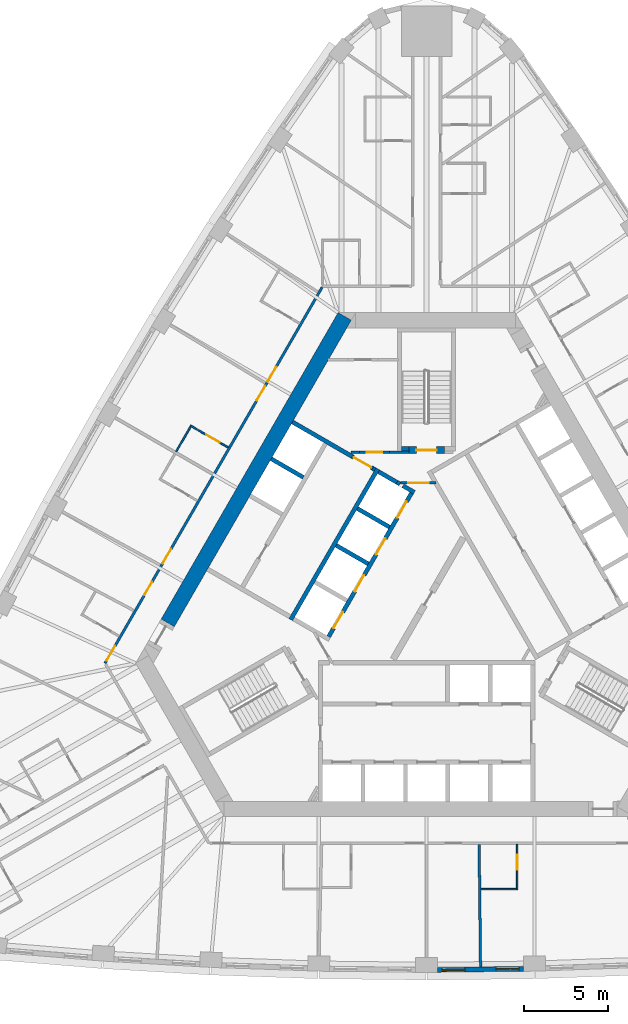
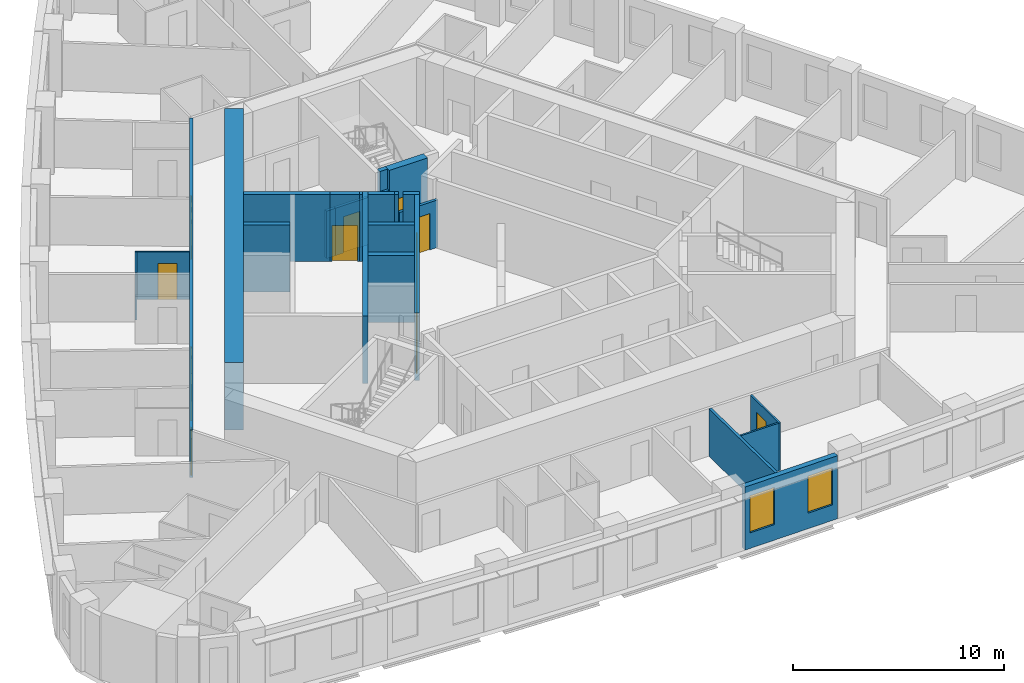
# One storey, part 6 of 12: 25 walls, 15 doors, 2 windows, 17 openings.
"""IFC4 building model written with IfcOpenShell, lengths in metres."""

from ifc_helpers import new_model, si_unit, direction, frame, frame_2d, origin, place, context, subcontext, project, spatial, polyline, rectangle, outline, extrude, material, layer, layer_set, type_object, element, fill, save


model = new_model("IFC4")

# Units and contexts
model_context = context("Model", 3, precision=1e-05, world=origin(), true_north=direction((0.0, 1.0)))
body_context = subcontext(model_context, "Body", "Model", "MODEL_VIEW")
ifc_project = project(units=[si_unit("LENGTHUNIT", "METRE"), si_unit("AREAUNIT", "SQUARE_METRE"), si_unit("VOLUMEUNIT", "CUBIC_METRE"), si_unit("PLANEANGLEUNIT", "RADIAN"), si_unit("MASSUNIT", "GRAM", prefix="KILO")], contexts=[model_context])

# Site, building, storey
site_placement = place(None, origin())
site = spatial("IfcSite", under=ifc_project, at=site_placement, CompositionType="ELEMENT")
building_placement = place(site_placement, origin())
building = spatial("IfcBuilding", under=site, at=building_placement, Name="Mestral Congress Tower", CompositionType="ELEMENT")
storey_placement = place(building_placement, frame((0.0, 0.0, 111.0)))
storey = spatial("IfcBuildingStorey", under=building, at=storey_placement, Name="L26", CompositionType="ELEMENT", Elevation=111.0)

# Walls
ifc_material_1 = material(Name="Fire-rated board partition")
ifc_layer_1 = layer(ifc_material_1, 0.14990234375)
ifc_layer_set_1 = layer_set([ifc_layer_1], Name="Fire-rated board partition")
wall_type_1 = type_object("IfcWallType", Name="Core partition 150", PredefinedType="PARTITIONING", material=ifc_layer_set_1)
wall_1_placement = place(storey_placement, frame((-3.99658203125, 8.625244140625, 0.0), z_axis=(0.0, 0.0, 1.0), x_axis=(-1.0, 0.0, 0.0)))
element("IfcWall", 1, at=wall_1_placement, inside=storey, type_object=wall_type_1, Name="L26 core wall", PredefinedType="PARTITIONING", context=body_context, shape_type="SweptSolid", body=[
    extrude(rectangle(XDim=0.502197265625, YDim=0.14990234375, at=frame_2d((0.2509765625, 0.0))), origin(), (0.0, 0.0, 1.0), 2.75),
])
wall_2_placement = place(storey_placement, frame((-2.1962890625, 8.62548828125, 0.0), z_axis=(0.0, 0.0, 1.0), x_axis=(1.0, 0.0, 0.0)))
element("IfcWall", 2, at=wall_2_placement, inside=storey, type_object=wall_type_1, Name="L26 core wall", PredefinedType="PARTITIONING", context=body_context, shape_type="SweptSolid", body=[
    extrude(rectangle(XDim=1.146240234375, YDim=0.14990234375, at=frame_2d((0.5732421875, 0.0))), origin(), (0.0, 0.0, 1.0), 2.75),
])

# Wall, opening, door
wall_3_placement = place(storey_placement, frame((-2.1962890625, 8.625, 0.0), z_axis=(0.0, 0.0, 1.0), x_axis=(-1.0, 0.0, 0.0)))
wall_3 = element("IfcWall", 3, at=wall_3_placement, inside=storey, type_object=wall_type_1, Name="L26 door wall", PredefinedType="PARTITIONING", context=body_context, shape_type="SweptSolid", body=[
    extrude(rectangle(XDim=1.800048828125, YDim=0.14990234375, at=frame_2d((0.89990234375, 0.0))), origin(), (0.0, 0.0, 1.0), 2.75),
])
opening_1_placement = place(wall_3_placement, frame((0.449951171875, 0.0, 0.0)))
opening_1 = element("IfcOpeningElement", 4, at=opening_1_placement, cuts=wall_3, Name="Opening TD2", PredefinedType="OPENING", context=body_context, shape_type="SweptSolid", body=[
    extrude(rectangle(XDim=0.89990234375, YDim=2.10009765625, at=frame_2d((0.449951171875, 1.050048828125))), frame((0.0, 0.0849609375, 0.0), z_axis=(0.0, -1.0, 0.0), x_axis=(1.0, 0.0, 0.0)), (0.0, 0.0, 1.0), 0.169921875),
])
ifc_material_2 = material(Name="Fire-rated steel door set", Category="steel")
door_type_1 = type_object("IfcDoorType", Name="Core door SR 900x2100", OperationType="SINGLE_SWING_LEFT", PredefinedType="DOOR", material=ifc_material_2)
door_1_placement = place(opening_1_placement, origin())
door_1 = element("IfcDoor", 5, at=door_1_placement, inside=storey, type_object=door_type_1, Name="Door TD2", OperationType="SINGLE_SWING_LEFT", OverallHeight=2.10009765625, OverallWidth=0.89990234375, PredefinedType="DOOR", context=body_context, shape_type="SweptSolid", body=[
    extrude(rectangle(XDim=0.89990234375, YDim=2.10009765625, at=frame_2d((0.449951171875, 1.050048828125))), frame((0.0, 0.02490234375, 0.0), z_axis=(0.0, -1.0, 0.0), x_axis=(1.0, 0.0, 0.0)), (0.0, 0.0, 1.0), 0.050048828125),
])
fill(opening_1, door_1)

wall_4_placement = place(storey_placement, frame((-1.534423828125, 6.800048828125, 0.0), z_axis=(0.0, 0.0, 1.0), x_axis=(1.0, 0.0, 0.0)))
wall_4 = element("IfcWall", 6, at=wall_4_placement, inside=storey, type_object=wall_type_1, Name="L26 door wall", PredefinedType="PARTITIONING", context=body_context, shape_type="SweptSolid", body=[
    extrude(rectangle(XDim=2.099853515625, YDim=0.14990234375, at=frame_2d((1.0498046875, 0.0))), origin(), (0.0, 0.0, 1.0), 2.75),
])
opening_2_placement = place(wall_4_placement, frame((0.449951171875, 0.0, 0.0)))
opening_2 = element("IfcOpeningElement", 7, at=opening_2_placement, cuts=wall_4, Name="Opening CD2-FF", PredefinedType="OPENING", context=body_context, shape_type="SweptSolid", body=[
    extrude(rectangle(XDim=1.199951171875, YDim=2.10009765625, at=frame_2d((0.60009765625, 1.050048828125))), frame((0.0, 0.0849609375, 0.0), z_axis=(0.0, -1.0, 0.0), x_axis=(1.0, 0.0, 0.0)), (0.0, 0.0, 1.0), 0.169921875),
])
door_type_2 = type_object("IfcDoorType", Name="Core door CD 1200x2100", OperationType="SINGLE_SWING_LEFT", PredefinedType="DOOR", material=ifc_material_2)
door_2_placement = place(opening_2_placement, origin())
door_2 = element("IfcDoor", 8, at=door_2_placement, inside=storey, type_object=door_type_2, Name="Door CD2-FF", OperationType="SINGLE_SWING_LEFT", OverallHeight=2.10009765625, OverallWidth=1.199951171875, PredefinedType="DOOR", context=body_context, shape_type="SweptSolid", body=[
    extrude(rectangle(XDim=1.199951171875, YDim=2.10009765625, at=frame_2d((0.60009765625, 1.050048828125))), frame((0.0, 0.02490234375, 0.0), z_axis=(0.0, -1.0, 0.0), x_axis=(1.0, 0.0, 0.0)), (0.0, 0.0, 1.0), 0.050048828125),
])
fill(opening_2, door_2)

# Wall
ifc_material_3 = material(Name="Concrete C60/75", Category="concrete")
ifc_layer_2 = layer(ifc_material_3, 0.89990234375)
ifc_layer_set_2 = layer_set([ifc_layer_2], Name="Concrete C60/75")
wall_type_2 = type_object("IfcWallType", Name="Core wall RC 900", PredefinedType="SOLIDWALL", material=ifc_layer_set_2)
wall_5_placement = place(storey_placement, frame((-15.359619140625, -1.50341796875, 0.0), z_axis=(0.0, 0.0, 1.0), x_axis=(0.50000389221, 0.866023156604, 0.0)))
element("IfcWall", 9, at=wall_5_placement, inside=storey, type_object=wall_type_2, Name="L26 core wall", PredefinedType="SOLIDWALL", context=body_context, shape_type="SweptSolid", body=[
    extrude(rectangle(XDim=21.000244140625, YDim=0.89990234375, at=frame_2d((10.5, 0.0))), origin(), (0.0, 0.0, 1.0), 3.89990234375),
])

# Wall, openings, windows
ifc_material_4 = material(Name="Precast concrete C40/50 with limestone facing", Category="masonry")
ifc_layer_3 = layer(ifc_material_4, 0.2900390625)
ifc_layer_set_3 = layer_set([ifc_layer_3], Name="Precast concrete C40/50 with limestone facing")
wall_type_3 = type_object("IfcWallType", Name="Facade stone wall 290", PredefinedType="SOLIDWALL", material=ifc_layer_set_3)
wall_6_placement = place(storey_placement, frame((0.6533203125, -22.091064453125, 0.0), z_axis=(0.0, 0.0, 1.0), x_axis=(0.999931786565, 0.011679992145, 0.0)))
wall_6 = element("IfcWall", 10, at=wall_6_placement, inside=storey, type_object=wall_type_3, Name="Facade wall F0-04", PredefinedType="SOLIDWALL", context=body_context, shape_type="SweptSolid", body=[
    extrude(rectangle(XDim=5.10009765625, YDim=0.2900390625, at=frame_2d((2.550048828125, 0.0))), origin(), (0.0, 0.0, 1.0), 3.64990234375),
])
opening_3_placement = place(wall_6_placement, frame((0.272705078125, 0.0, 0.89990234375)))
opening_3 = element("IfcOpeningElement", 11, at=opening_3_placement, cuts=wall_6, Name="Opening W2", PredefinedType="OPENING", context=body_context, shape_type="SweptSolid", body=[
    extrude(rectangle(XDim=1.35009765625, YDim=2.14990234375, at=frame_2d((0.675048828125, 1.074951171875))), frame((0.0, 0.155029296875, 0.0), z_axis=(0.0, -1.0, 0.0), x_axis=(1.0, 0.0, 0.0)), (0.0, 0.0, 1.0), 0.31005859375),
])
opening_4_placement = place(wall_6_placement, frame((3.477783203125, 0.0, 0.89990234375)))
opening_4 = element("IfcOpeningElement", 12, at=opening_4_placement, cuts=wall_6, Name="Opening W2", PredefinedType="OPENING", context=body_context, shape_type="SweptSolid", body=[
    extrude(rectangle(XDim=1.35009765625, YDim=2.14990234375, at=frame_2d((0.675048828125, 1.074951171875))), frame((0.0, 0.155029296875, 0.0), z_axis=(0.0, -1.0, 0.0), x_axis=(1.0, 0.0, 0.0)), (0.0, 0.0, 1.0), 0.31005859375),
])
ifc_material_5 = material(Name="Clear low-emissivity double glazing", Category="glass")
window_type = type_object("IfcWindowType", Name="Facade punched window 1350 x 2150 sill 900", PartitioningType="DOUBLE_PANEL_VERTICAL", PredefinedType="WINDOW", material=ifc_material_5)
window_1_placement = place(opening_3_placement, origin())
window_1 = element("IfcWindow", 13, at=window_1_placement, inside=storey, type_object=window_type, Name="Window F0-04a", OverallHeight=2.14990234375, OverallWidth=1.35009765625, PartitioningType="DOUBLE_PANEL_VERTICAL", PredefinedType="WINDOW", context=body_context, shape_type="SweptSolid", body=[
    extrude(rectangle(XDim=1.35009765625, YDim=2.14990234375, at=frame_2d((0.675048828125, 1.074951171875))), frame((0.0, 0.01513671875, 0.0), z_axis=(0.0, -1.0, 0.0), x_axis=(1.0, 0.0, 0.0)), (0.0, 0.0, 1.0), 0.06005859375),
])
fill(opening_3, window_1)
window_2_placement = place(opening_4_placement, origin())
window_2 = element("IfcWindow", 14, at=window_2_placement, inside=storey, type_object=window_type, Name="Window F0-04b", OverallHeight=2.14990234375, OverallWidth=1.35009765625, PartitioningType="DOUBLE_PANEL_VERTICAL", PredefinedType="WINDOW", context=body_context, shape_type="SweptSolid", body=[
    extrude(rectangle(XDim=1.35009765625, YDim=2.14990234375, at=frame_2d((0.675048828125, 1.074951171875))), frame((0.0, 0.01513671875, 0.0), z_axis=(0.0, -1.0, 0.0), x_axis=(1.0, 0.0, 0.0)), (0.0, 0.0, 1.0), 0.06005859375),
])
fill(opening_4, window_2)

# Wall, opening, door
ifc_material_6 = material(Name="Gypsum board partition on metal studs with mineral wool", Category="composite")
ifc_layer_4 = layer(ifc_material_6, 0.10009765625)
ifc_layer_set_4 = layer_set([ifc_layer_4], Name="Gypsum board partition on metal studs with mineral wool")
wall_type_4 = type_object("IfcWallType", Name="Hotel partition wall 100", PredefinedType="PARTITIONING", material=ifc_layer_set_4)
wall_7_placement = place(storey_placement, frame((5.37060546875, -17.35009765625, 0.0), z_axis=(0.0, 0.0, 1.0), x_axis=(0.0, 1.0, 0.0)))
wall_7 = element("IfcWall", 15, at=wall_7_placement, inside=storey, type_object=wall_type_4, Name="L26-h-pod05a", PredefinedType="PARTITIONING", context=body_context, shape_type="SweptSolid", body=[
    extrude(rectangle(XDim=2.7001953125, YDim=0.10009765625, at=frame_2d((1.35009765625, 0.0))), origin(), (0.0, 0.0, 1.0), 2.75),
])
opening_5_placement = place(wall_7_placement, frame((1.199951171875, 0.0, 0.0)))
opening_5 = element("IfcOpeningElement", 16, at=opening_5_placement, cuts=wall_7, Name="Opening H08-009", PredefinedType="OPENING", context=body_context, shape_type="SweptSolid", body=[
    extrude(rectangle(XDim=0.89990234375, YDim=2.10009765625, at=frame_2d((0.449951171875, 1.050048828125))), frame((0.0, 0.06005859375, 0.0), z_axis=(0.0, -1.0, 0.0), x_axis=(1.0, 0.0, 0.0)), (0.0, 0.0, 1.0), 0.1201171875),
])
ifc_material_7 = material(Name="Timber veneer door leaf in timber frame", Category="wood")
door_type_3 = type_object("IfcDoorType", Name="Bathroom door 900", OperationType="SINGLE_SWING_LEFT", PredefinedType="DOOR", material=ifc_material_7)
door_3_placement = place(opening_5_placement, origin())
door_3 = element("IfcDoor", 17, at=door_3_placement, inside=storey, type_object=door_type_3, Name="L26-h-d009", OperationType="SINGLE_SWING_LEFT", OverallHeight=2.10009765625, OverallWidth=0.89990234375, PredefinedType="DOOR", context=body_context, shape_type="SweptSolid", body=[
    extrude(rectangle(XDim=0.89990234375, YDim=2.10009765625, at=frame_2d((0.449951171875, 1.050048828125))), frame((0.0, 0.02490234375, 0.0), z_axis=(0.0, -1.0, 0.0), x_axis=(1.0, 0.0, 0.0)), (0.0, 0.0, 1.0), 0.050048828125),
])
fill(opening_5, door_3)

# Wall
wall_8_placement = place(storey_placement, frame((5.32080078125, -17.300048828125, 0.0), z_axis=(0.0, 0.0, 1.0), x_axis=(-1.0, 0.0, 0.0)))
element("IfcWall", 18, at=wall_8_placement, inside=storey, type_object=wall_type_4, Name="L26-h-pod05b", PredefinedType="PARTITIONING", context=body_context, shape_type="SweptSolid", body=[
    extrude(rectangle(XDim=2.090087890625, YDim=0.10009765625, at=frame_2d((1.044921875, 0.0))), origin(), (0.0, 0.0, 1.0), 2.75),
])

# Wall, opening, door
wall_9_placement = place(storey_placement, frame((-11.7744140625, 8.90625, 0.0), z_axis=(0.0, 0.0, 1.0), x_axis=(-0.865997922154, 0.500047596559, 0.0)))
wall_9 = element("IfcWall", 19, at=wall_9_placement, inside=storey, type_object=wall_type_4, Name="L26-h-pod20a", PredefinedType="PARTITIONING", context=body_context, shape_type="SweptSolid", body=[
    extrude(rectangle(XDim=2.599853515625, YDim=0.10009765625, at=frame_2d((1.2998046875, 0.0))), origin(), (0.0, 0.0, 1.0), 2.75),
])
opening_6_placement = place(wall_9_placement, frame((0.60009765625, 0.0, 0.0)))
opening_6 = element("IfcOpeningElement", 20, at=opening_6_placement, cuts=wall_9, Name="Opening H08-036", PredefinedType="OPENING", context=body_context, shape_type="SweptSolid", body=[
    extrude(rectangle(XDim=0.89990234375, YDim=2.10009765625, at=frame_2d((0.449951171875, 1.050048828125))), frame((0.0, 0.06005859375, 0.0), z_axis=(0.0, -1.0, 0.0), x_axis=(1.0, 0.0, 0.0)), (0.0, 0.0, 1.0), 0.1201171875),
])
door_4_placement = place(opening_6_placement, origin())
door_4 = element("IfcDoor", 21, at=door_4_placement, inside=storey, type_object=door_type_3, Name="L26-h-d036", OperationType="SINGLE_SWING_LEFT", OverallHeight=2.10009765625, OverallWidth=0.89990234375, PredefinedType="DOOR", context=body_context, shape_type="SweptSolid", body=[
    extrude(rectangle(XDim=0.89990234375, YDim=2.10009765625, at=frame_2d((0.449951171875, 1.050048828125))), frame((0.0, 0.02490234375, 0.0), z_axis=(0.0, -1.0, 0.0), x_axis=(1.0, 0.0, 0.0)), (0.0, 0.0, 1.0), 0.050048828125),
])
fill(opening_6, door_4)

# Wall
wall_10_placement = place(storey_placement, frame((-14.0078125, 10.137939453125, 0.0), z_axis=(0.0, 0.0, 1.0), x_axis=(-0.499892348375, -0.866087547558, 0.0)))
element("IfcWall", 22, at=wall_10_placement, inside=storey, type_object=wall_type_4, Name="L26-h-pod20b", PredefinedType="PARTITIONING", context=body_context, shape_type="SweptSolid", body=[
    extrude(rectangle(XDim=1.699951171875, YDim=0.10009765625, at=frame_2d((0.85009765625, 0.0))), origin(), (0.0, 0.0, 1.0), 2.75),
])

# Wall, openings, doors
ifc_layer_5 = layer(ifc_material_6, 0.14990234375)
ifc_layer_set_5 = layer_set([ifc_layer_5], Name="Gypsum board partition on metal studs with mineral wool")
wall_type_5 = type_object("IfcWallType", Name="Hotel partition wall 150", PredefinedType="PARTITIONING", material=ifc_layer_set_5)
wall_11_placement = place(storey_placement, frame((-19.081298828125, -3.89990234375, 0.0), z_axis=(0.0, 0.0, 1.0), x_axis=(0.499998313975, 0.866026377209, 0.0)))
wall_11 = element("IfcWall", 23, at=wall_11_placement, inside=storey, type_object=wall_type_5, Name="L26-h-cw08", PredefinedType="PARTITIONING", context=body_context, shape_type="SweptSolid", body=[
    extrude(rectangle(XDim=25.76611328125, YDim=0.14990234375, at=frame_2d((12.883056640625, 0.0))), origin(), (0.0, 0.0, 1.0), 2.75),
])
opening_7_placement = place(wall_11_placement, frame((19.30615234375, 0.0, 0.0)))
opening_7 = element("IfcOpeningElement", 24, at=opening_7_placement, cuts=wall_11, Name="Opening H08-033", PredefinedType="OPENING", context=body_context, shape_type="SweptSolid", body=[
    extrude(rectangle(XDim=1.0, YDim=2.10009765625, at=frame_2d((0.5, 1.050048828125))), frame((0.0, 0.0849609375, 0.0), z_axis=(0.0, -1.0, 0.0), x_axis=(1.0, 0.0, 0.0)), (0.0, 0.0, 1.0), 0.169921875),
])
opening_8_placement = place(wall_11_placement, frame((17.99951171875, 0.0, 0.0)))
opening_8 = element("IfcOpeningElement", 25, at=opening_8_placement, cuts=wall_11, Name="Opening H08-035", PredefinedType="OPENING", context=body_context, shape_type="SweptSolid", body=[
    extrude(rectangle(XDim=1.0, YDim=2.10009765625, at=frame_2d((0.5, 1.050048828125))), frame((0.0, 0.0849609375, 0.0), z_axis=(0.0, -1.0, 0.0), x_axis=(1.0, 0.0, 0.0)), (0.0, 0.0, 1.0), 0.169921875),
])
opening_9_placement = place(wall_11_placement, frame((6.837890625, 0.0, 0.0)))
opening_9 = element("IfcOpeningElement", 26, at=opening_9_placement, cuts=wall_11, Name="Opening H08-037", PredefinedType="OPENING", context=body_context, shape_type="SweptSolid", body=[
    extrude(rectangle(XDim=1.0, YDim=2.10009765625, at=frame_2d((0.5, 1.050048828125))), frame((0.0, 0.0849609375, 0.0), z_axis=(0.0, -1.0, 0.0), x_axis=(1.0, 0.0, 0.0)), (0.0, 0.0, 1.0), 0.169921875),
])
opening_10_placement = place(wall_11_placement, frame((4.674072265625, 0.0, 0.0)))
opening_10 = element("IfcOpeningElement", 27, at=opening_10_placement, cuts=wall_11, Name="Opening H08-039", PredefinedType="OPENING", context=body_context, shape_type="SweptSolid", body=[
    extrude(rectangle(XDim=0.89990234375, YDim=2.10009765625, at=frame_2d((0.449951171875, 1.050048828125))), frame((0.0, 0.0849609375, 0.0), z_axis=(0.0, -1.0, 0.0), x_axis=(1.0, 0.0, 0.0)), (0.0, 0.0, 1.0), 0.169921875),
])
opening_11_placement = place(wall_11_placement, frame((0.179931640625, 0.0, 0.0)))
opening_11 = element("IfcOpeningElement", 28, at=opening_11_placement, cuts=wall_11, Name="Opening H08-040", PredefinedType="OPENING", context=body_context, shape_type="SweptSolid", body=[
    extrude(rectangle(XDim=1.0, YDim=2.10009765625, at=frame_2d((0.5, 1.050048828125))), frame((0.0, 0.0849609375, 0.0), z_axis=(0.0, -1.0, 0.0), x_axis=(1.0, 0.0, 0.0)), (0.0, 0.0, 1.0), 0.169921875),
])
ifc_material_8 = material(Name="Timber veneer door leaf in metal frame", Category="wood")
door_type_4 = type_object("IfcDoorType", Name="Guest room entrance door 1000", OperationType="SINGLE_SWING_LEFT", PredefinedType="DOOR", material=ifc_material_8)
door_5_placement = place(opening_7_placement, origin())
door_5 = element("IfcDoor", 29, at=door_5_placement, inside=storey, type_object=door_type_4, Name="L26-h-d033", OperationType="SINGLE_SWING_LEFT", OverallHeight=2.10009765625, OverallWidth=1.0, PredefinedType="DOOR", context=body_context, shape_type="SweptSolid", body=[
    extrude(rectangle(XDim=1.0, YDim=2.10009765625, at=frame_2d((0.5, 1.050048828125))), frame((0.0, 0.02490234375, 0.0), z_axis=(0.0, -1.0, 0.0), x_axis=(1.0, 0.0, 0.0)), (0.0, 0.0, 1.0), 0.050048828125),
])
fill(opening_7, door_5)
door_6_placement = place(opening_8_placement, origin())
door_6 = element("IfcDoor", 30, at=door_6_placement, inside=storey, type_object=door_type_4, Name="L26-h-d035", OperationType="SINGLE_SWING_RIGHT", OverallHeight=2.10009765625, OverallWidth=1.0, PredefinedType="DOOR", context=body_context, shape_type="SweptSolid", body=[
    extrude(rectangle(XDim=1.0, YDim=2.10009765625, at=frame_2d((0.5, 1.050048828125))), frame((0.0, 0.02490234375, 0.0), z_axis=(0.0, -1.0, 0.0), x_axis=(1.0, 0.0, 0.0)), (0.0, 0.0, 1.0), 0.050048828125),
])
fill(opening_8, door_6)
door_7_placement = place(opening_9_placement, origin())
door_7 = element("IfcDoor", 31, at=door_7_placement, inside=storey, type_object=door_type_4, Name="L26-h-d037", OperationType="SINGLE_SWING_LEFT", OverallHeight=2.10009765625, OverallWidth=1.0, PredefinedType="DOOR", context=body_context, shape_type="SweptSolid", body=[
    extrude(rectangle(XDim=1.0, YDim=2.10009765625, at=frame_2d((0.5, 1.050048828125))), frame((0.0, 0.02490234375, 0.0), z_axis=(0.0, -1.0, 0.0), x_axis=(1.0, 0.0, 0.0)), (0.0, 0.0, 1.0), 0.050048828125),
])
fill(opening_9, door_7)
door_8_placement = place(opening_11_placement, origin())
door_8 = element("IfcDoor", 32, at=door_8_placement, inside=storey, type_object=door_type_4, Name="L26-h-d040", OperationType="SINGLE_SWING_LEFT", OverallHeight=2.10009765625, OverallWidth=1.0, PredefinedType="DOOR", context=body_context, shape_type="SweptSolid", body=[
    extrude(rectangle(XDim=1.0, YDim=2.10009765625, at=frame_2d((0.5, 1.050048828125))), frame((0.0, 0.02490234375, 0.0), z_axis=(0.0, -1.0, 0.0), x_axis=(1.0, 0.0, 0.0)), (0.0, 0.0, 1.0), 0.050048828125),
])
fill(opening_11, door_8)
door_type_5 = type_object("IfcDoorType", Name="Service room door 900", OperationType="SINGLE_SWING_LEFT", PredefinedType="DOOR", material=ifc_material_8)
door_9_placement = place(opening_10_placement, origin())
door_9 = element("IfcDoor", 33, at=door_9_placement, inside=storey, type_object=door_type_5, Name="L26-h-d039", OperationType="SINGLE_SWING_RIGHT", OverallHeight=2.10009765625, OverallWidth=0.89990234375, PredefinedType="DOOR", context=body_context, shape_type="SweptSolid", body=[
    extrude(rectangle(XDim=0.89990234375, YDim=2.10009765625, at=frame_2d((0.449951171875, 1.050048828125))), frame((0.0, 0.02490234375, 0.0), z_axis=(0.0, -1.0, 0.0), x_axis=(1.0, 0.0, 0.0)), (0.0, 0.0, 1.0), 0.050048828125),
])
fill(opening_10, door_9)

# Walls
wall_12_placement = place(storey_placement, frame((3.20166015625, -21.916259765625, 0.0), z_axis=(0.0, 0.0, 1.0), x_axis=(-0.011707696285, 0.999931462575, 0.0)))
element("IfcWall", 34, at=wall_12_placement, inside=storey, type_object=wall_type_5, Name="L26-h-pw16", PredefinedType="PARTITIONING", context=body_context, shape_type="SweptSolid", body=[
    extrude(rectangle(XDim=7.2568359375, YDim=0.14990234375, at=frame_2d((3.62841796875, 0.0))), origin(), (0.0, 0.0, 1.0), 2.75),
])
ifc_layer_6 = layer(ifc_material_3, 0.25)
ifc_layer_set_6 = layer_set([ifc_layer_6], Name="Concrete C60/75")
wall_type_6 = type_object("IfcWallType", Name="Shaft wall RC 250", PredefinedType="SOLIDWALL", material=ifc_layer_set_6)
wall_13_placement = place(storey_placement, frame((-8.06005859375, -1.310546875, 0.0), z_axis=(0.0, 0.0, 1.0), x_axis=(0.50000273126, 0.866023826885, 0.0)))
element("IfcWall", 35, at=wall_13_placement, inside=storey, type_object=wall_type_6, Name="L26 core wall", PredefinedType="SOLIDWALL", context=body_context, shape_type="SweptSolid", body=[
    extrude(rectangle(XDim=10.330078125, YDim=0.25, at=frame_2d((5.1650390625, 0.0))), origin(), (0.0, 0.0, 1.0), 3.89990234375),
])
wall_14_placement = place(storey_placement, frame((-1.75830078125, 6.834716796875, 0.0), z_axis=(0.0, 0.0, 1.0), x_axis=(0.865982457891, -0.500074377092, 0.0)))
element("IfcWall", 36, at=wall_14_placement, inside=storey, type_object=wall_type_6, Name="L26 core wall", PredefinedType="SOLIDWALL", context=body_context, shape_type="SweptSolid", body=[
    extrude(rectangle(XDim=0.2001953125, YDim=0.25, at=frame_2d((0.10009765625, 0.0))), origin(), (0.0, 0.0, 1.0), 3.89990234375),
])
wall_15_placement = place(storey_placement, frame((-1.760009765625, 6.835693359375, 0.0), z_axis=(0.0, 0.0, 1.0), x_axis=(-0.865952863304, 0.500125622755, 0.0)))
element("IfcWall", 37, at=wall_15_placement, inside=storey, type_object=wall_type_6, Name="L26 core wall", PredefinedType="SOLIDWALL", context=body_context, shape_type="SweptSolid", body=[
    extrude(rectangle(XDim=1.258056640625, YDim=0.25, at=frame_2d((0.62890625, 0.0))), origin(), (0.0, 0.0, 1.0), 3.89990234375),
])
wall_16_placement = place(storey_placement, frame((-0.7275390625, 6.23974609375, 0.0), z_axis=(0.0, 0.0, 1.0), x_axis=(-0.865955664968, 0.500120771724, 0.0)))
element("IfcWall", 38, at=wall_16_placement, inside=storey, type_object=wall_type_6, Name="L26 core wall", PredefinedType="SOLIDWALL", context=body_context, shape_type="SweptSolid", body=[
    extrude(rectangle(XDim=0.778076171875, YDim=0.25, at=frame_2d((0.38916015625, 0.0))), origin(), (0.0, 0.0, 1.0), 3.89990234375),
])
for number, where, z_axis, x_axis, name in (
    (39, (-2.2041015625, 4.182373046875, 0.0), (0.0, 0.0, 1.0), (-0.866008176907, 0.50002983664, 0.0), "L26 core wall"),
    (40, (-5.369384765625, 3.10009765625, 0.0), (0.0, 0.0, 1.0), (0.866008176907, -0.50002983664, 0.0), "L26 core wall"),
):
    element("IfcWall", number, at=place(storey_placement, frame(where, z_axis=z_axis, x_axis=x_axis)), inside=storey, type_object=wall_type_6, Name=name, PredefinedType="SOLIDWALL", context=body_context, shape_type="SweptSolid", body=[
        extrude(rectangle(XDim=2.199951171875, YDim=0.25, at=frame_2d((1.10009765625, 0.0))), origin(), (0.0, 0.0, 1.0), 3.89990234375),
    ])
wall_17_placement = place(storey_placement, origin())
element("IfcWall", 41, at=wall_17_placement, inside=storey, type_object=wall_type_6, Name="L26 core wall", PredefinedType="SOLIDWALL", context=body_context, shape_type="SweptSolid", body=[
    extrude(outline(polyline([(-3.12841796875, 7.4814453125), (-3.2587890625, 7.556640625), (-3.1337890625, 7.773193359375), (-3.00341796875, 7.697998046875), (-3.12841796875, 7.4814453125)])), origin(), (0.0, 0.0, 1.0), 3.89990234375),
])
wall_18_placement = place(storey_placement, frame((-7.313720703125, 7.13232421875, 0.0), z_axis=(0.0, 0.0, 1.0), x_axis=(-0.866008176907, 0.50002983664, 0.0)))
element("IfcWall", 42, at=wall_18_placement, inside=storey, type_object=wall_type_6, Name="L26 core wall", PredefinedType="SOLIDWALL", context=body_context, shape_type="SweptSolid", body=[
    extrude(rectangle(XDim=2.199951171875, YDim=0.25, at=frame_2d((1.10009765625, 0.0))), origin(), (0.0, 0.0, 1.0), 3.89990234375),
])
wall_19_placement = place(storey_placement, frame((-7.958984375, 10.414794921875, 0.0), z_axis=(0.0, 0.0, 1.0), x_axis=(0.866020958405, -0.500007699544, 0.0)))
element("IfcWall", 43, at=wall_19_placement, inside=storey, type_object=wall_type_6, Name="L26 core wall", PredefinedType="SOLIDWALL", context=body_context, shape_type="SweptSolid", body=[
    extrude(rectangle(XDim=4.099609375, YDim=0.25, at=frame_2d((2.0498046875, 0.0))), origin(), (0.0, 0.0, 1.0), 3.89990234375),
])

# Wall, openings, doors
wall_20_placement = place(storey_placement, frame((-0.898193359375, 6.194091796875, 0.0), z_axis=(0.0, 0.0, 1.0), x_axis=(-0.499996202215, -0.866027596426, 0.0)))
wall_20 = element("IfcWall", 44, at=wall_20_placement, inside=storey, type_object=wall_type_6, Name="L26 door wall", PredefinedType="SOLIDWALL", context=body_context, shape_type="SweptSolid", body=[
    extrude(rectangle(XDim=9.830078125, YDim=0.25, at=frame_2d((4.9150390625, 0.0))), origin(), (0.0, 0.0, 1.0), 3.89990234375),
])
opening_12_placement = place(wall_20_placement, frame((0.5849609375, 0.0, 0.0)))
opening_12 = element("IfcOpeningElement", 45, at=opening_12_placement, cuts=wall_20, Name="Opening LD-NWB1", PredefinedType="OPENING", context=body_context, shape_type="SweptSolid", body=[
    extrude(rectangle(XDim=1.10009765625, YDim=2.10009765625, at=frame_2d((0.550048828125, 1.050048828125))), frame((0.0, 0.135009765625, 0.0), z_axis=(0.0, -1.0, 0.0), x_axis=(1.0, 0.0, 0.0)), (0.0, 0.0, 1.0), 0.27001953125),
])
opening_13_placement = place(wall_20_placement, frame((3.10498046875, 0.0, 0.0)))
opening_13 = element("IfcOpeningElement", 46, at=opening_13_placement, cuts=wall_20, Name="Opening LD-NWB2", PredefinedType="OPENING", context=body_context, shape_type="SweptSolid", body=[
    extrude(rectangle(XDim=1.10009765625, YDim=2.10009765625, at=frame_2d((0.550048828125, 1.050048828125))), frame((0.0, 0.135009765625, 0.0), z_axis=(0.0, -1.0, 0.0), x_axis=(1.0, 0.0, 0.0)), (0.0, 0.0, 1.0), 0.27001953125),
])
opening_14_placement = place(wall_20_placement, frame((5.625, 0.0, 0.0)))
opening_14 = element("IfcOpeningElement", 47, at=opening_14_placement, cuts=wall_20, Name="Opening LD-NWB3", PredefinedType="OPENING", context=body_context, shape_type="SweptSolid", body=[
    extrude(rectangle(XDim=1.10009765625, YDim=2.10009765625, at=frame_2d((0.550048828125, 1.050048828125))), frame((0.0, 0.135009765625, 0.0), z_axis=(0.0, -1.0, 0.0), x_axis=(1.0, 0.0, 0.0)), (0.0, 0.0, 1.0), 0.27001953125),
])
opening_15_placement = place(wall_20_placement, frame((8.14501953125, 0.0, 0.0)))
opening_15 = element("IfcOpeningElement", 48, at=opening_15_placement, cuts=wall_20, Name="Opening LD-NWB4", PredefinedType="OPENING", context=body_context, shape_type="SweptSolid", body=[
    extrude(rectangle(XDim=1.10009765625, YDim=2.10009765625, at=frame_2d((0.550048828125, 1.050048828125))), frame((0.0, 0.135009765625, 0.0), z_axis=(0.0, -1.0, 0.0), x_axis=(1.0, 0.0, 0.0)), (0.0, 0.0, 1.0), 0.27001953125),
])
door_type_6 = type_object("IfcDoorType", Name="Core door LD 1100x2100", OperationType="DOUBLE_DOOR_SLIDING", PredefinedType="DOOR", material=ifc_material_2)
door_10_placement = place(opening_12_placement, origin())
door_10 = element("IfcDoor", 49, at=door_10_placement, inside=storey, type_object=door_type_6, Name="Door LD-NWB1", OperationType="DOUBLE_DOOR_SLIDING", OverallHeight=2.10009765625, OverallWidth=1.10009765625, PredefinedType="DOOR", context=body_context, shape_type="SweptSolid", body=[
    extrude(rectangle(XDim=1.10009765625, YDim=2.10009765625, at=frame_2d((0.550048828125, 1.050048828125))), frame((0.0, 0.02490234375, 0.0), z_axis=(0.0, -1.0, 0.0), x_axis=(1.0, 0.0, 0.0)), (0.0, 0.0, 1.0), 0.050048828125),
])
fill(opening_12, door_10)
door_11_placement = place(opening_13_placement, origin())
door_11 = element("IfcDoor", 50, at=door_11_placement, inside=storey, type_object=door_type_6, Name="Door LD-NWB2", OperationType="DOUBLE_DOOR_SLIDING", OverallHeight=2.10009765625, OverallWidth=1.10009765625, PredefinedType="DOOR", context=body_context, shape_type="SweptSolid", body=[
    extrude(rectangle(XDim=1.10009765625, YDim=2.10009765625, at=frame_2d((0.550048828125, 1.050048828125))), frame((0.0, 0.02490234375, 0.0), z_axis=(0.0, -1.0, 0.0), x_axis=(1.0, 0.0, 0.0)), (0.0, 0.0, 1.0), 0.050048828125),
])
fill(opening_13, door_11)
door_12_placement = place(opening_14_placement, origin())
door_12 = element("IfcDoor", 51, at=door_12_placement, inside=storey, type_object=door_type_6, Name="Door LD-NWB3", OperationType="DOUBLE_DOOR_SLIDING", OverallHeight=2.10009765625, OverallWidth=1.10009765625, PredefinedType="DOOR", context=body_context, shape_type="SweptSolid", body=[
    extrude(rectangle(XDim=1.10009765625, YDim=2.10009765625, at=frame_2d((0.550048828125, 1.050048828125))), frame((0.0, 0.02490234375, 0.0), z_axis=(0.0, -1.0, 0.0), x_axis=(1.0, 0.0, 0.0)), (0.0, 0.0, 1.0), 0.050048828125),
])
fill(opening_14, door_12)
door_13_placement = place(opening_15_placement, origin())
door_13 = element("IfcDoor", 52, at=door_13_placement, inside=storey, type_object=door_type_6, Name="Door LD-NWB4", OperationType="DOUBLE_DOOR_SLIDING", OverallHeight=2.10009765625, OverallWidth=1.10009765625, PredefinedType="DOOR", context=body_context, shape_type="SweptSolid", body=[
    extrude(rectangle(XDim=1.10009765625, YDim=2.10009765625, at=frame_2d((0.550048828125, 1.050048828125))), frame((0.0, 0.02490234375, 0.0), z_axis=(0.0, -1.0, 0.0), x_axis=(1.0, 0.0, 0.0)), (0.0, 0.0, 1.0), 0.050048828125),
])
fill(opening_15, door_13)

# Wall, opening, door
wall_21_placement = place(storey_placement, frame((-4.40869140625, 8.364990234375, 0.0), z_axis=(0.0, 0.0, 1.0), x_axis=(0.866034573852, -0.49998411664, 0.0)))
wall_21 = element("IfcWall", 53, at=wall_21_placement, inside=storey, type_object=wall_type_6, Name="L26 door wall", PredefinedType="SOLIDWALL", context=body_context, shape_type="SweptSolid", body=[
    extrude(rectangle(XDim=1.39990234375, YDim=0.25, at=frame_2d((0.699951171875, 0.0))), origin(), (0.0, 0.0, 1.0), 3.89990234375),
])
opening_16_placement = place(wall_21_placement, frame((0.10009765625, 0.0, 0.0)))
opening_16 = element("IfcOpeningElement", 54, at=opening_16_placement, cuts=wall_21, Name="Opening LB2-WL2", PredefinedType="OPENING", context=body_context, shape_type="SweptSolid", body=[
    extrude(rectangle(XDim=1.199951171875, YDim=2.10009765625, at=frame_2d((0.60009765625, 1.050048828125))), frame((0.0, 0.135009765625, 0.0), z_axis=(0.0, -1.0, 0.0), x_axis=(1.0, 0.0, 0.0)), (0.0, 0.0, 1.0), 0.27001953125),
])
door_type_7 = type_object("IfcDoorType", Name="Core door LB 1200x2100", OperationType="SINGLE_SWING_LEFT", PredefinedType="DOOR", material=ifc_material_2)
door_14_placement = place(opening_16_placement, origin())
door_14 = element("IfcDoor", 55, at=door_14_placement, inside=storey, type_object=door_type_7, Name="Door LB2-WL2", OperationType="SINGLE_SWING_LEFT", OverallHeight=2.10009765625, OverallWidth=1.199951171875, PredefinedType="DOOR", context=body_context, shape_type="SweptSolid", body=[
    extrude(rectangle(XDim=1.199951171875, YDim=2.10009765625, at=frame_2d((0.60009765625, 1.050048828125))), frame((0.0, 0.02490234375, 0.0), z_axis=(0.0, -1.0, 0.0), x_axis=(1.0, 0.0, 0.0)), (0.0, 0.0, 1.0), 0.050048828125),
])
fill(opening_16, door_14)

# Wall
ifc_layer_7 = layer(ifc_material_3, 0.25)
ifc_layer_set_7 = layer_set([ifc_layer_7], Name="Concrete C60/75")
wall_type_7 = type_object("IfcWallType", Name="Stair wall RC 250", PredefinedType="SOLIDWALL", material=ifc_layer_set_7)
wall_22_placement = place(storey_placement, frame((-1.47509765625, 8.824951171875, 0.0), z_axis=(0.0, 0.0, 1.0), x_axis=(1.0, 0.0, 0.0)))
element("IfcWall", 56, at=wall_22_placement, inside=storey, type_object=wall_type_7, Name="L26 core wall", PredefinedType="SOLIDWALL", context=body_context, shape_type="SweptSolid", body=[
    extrude(rectangle(XDim=0.425048828125, YDim=0.25, at=frame_2d((0.21240234375, 0.0))), origin(), (0.0, 0.0, 1.0), 3.89990234375),
])

# Wall, opening, door
ifc_layer_8 = layer(ifc_material_3, 0.39990234375)
ifc_layer_set_8 = layer_set([ifc_layer_8], Name="Concrete C60/75")
wall_type_8 = type_object("IfcWallType", Name="Stair wall RC 250 door-wall 400", PredefinedType="SOLIDWALL", material=ifc_layer_set_8)
wall_23_placement = place(storey_placement, frame((1.050048828125, 8.75, 0.0), z_axis=(0.0, 0.0, 1.0), x_axis=(-1.0, 0.0, 0.0)))
wall_23 = element("IfcWall", 57, at=wall_23_placement, inside=storey, type_object=wall_type_8, Name="L26 door wall", PredefinedType="SOLIDWALL", context=body_context, shape_type="SweptSolid", body=[
    extrude(rectangle(XDim=2.10009765625, YDim=0.39990234375, at=frame_2d((1.050048828125, 0.0))), origin(), (0.0, 0.0, 1.0), 3.89990234375),
])
opening_17_placement = place(wall_23_placement, frame((0.449951171875, 0.0, 0.0)))
opening_17 = element("IfcOpeningElement", 58, at=opening_17_placement, cuts=wall_23, Name="Opening ST-D2", PredefinedType="OPENING", context=body_context, shape_type="SweptSolid", body=[
    extrude(rectangle(XDim=1.199951171875, YDim=2.10009765625, at=frame_2d((0.60009765625, 1.050048828125))), frame((0.0, 0.2099609375, 0.0), z_axis=(0.0, -1.0, 0.0), x_axis=(1.0, 0.0, 0.0)), (0.0, 0.0, 1.0), 0.419921875),
])
door_type_8 = type_object("IfcDoorType", Name="Core door ST 1200x2100", OperationType="SINGLE_SWING_LEFT", PredefinedType="DOOR", material=ifc_material_2)
door_15_placement = place(opening_17_placement, origin())
door_15 = element("IfcDoor", 59, at=door_15_placement, inside=storey, type_object=door_type_8, Name="Door ST-D2", OperationType="SINGLE_SWING_LEFT", OverallHeight=2.10009765625, OverallWidth=1.199951171875, PredefinedType="DOOR", context=body_context, shape_type="SweptSolid", body=[
    extrude(rectangle(XDim=1.199951171875, YDim=2.10009765625, at=frame_2d((0.60009765625, 1.050048828125))), frame((0.0, 0.02490234375, 0.0), z_axis=(0.0, -1.0, 0.0), x_axis=(1.0, 0.0, 0.0)), (0.0, 0.0, 1.0), 0.050048828125),
])
fill(opening_17, door_15)

save(model, "model.ifc")
